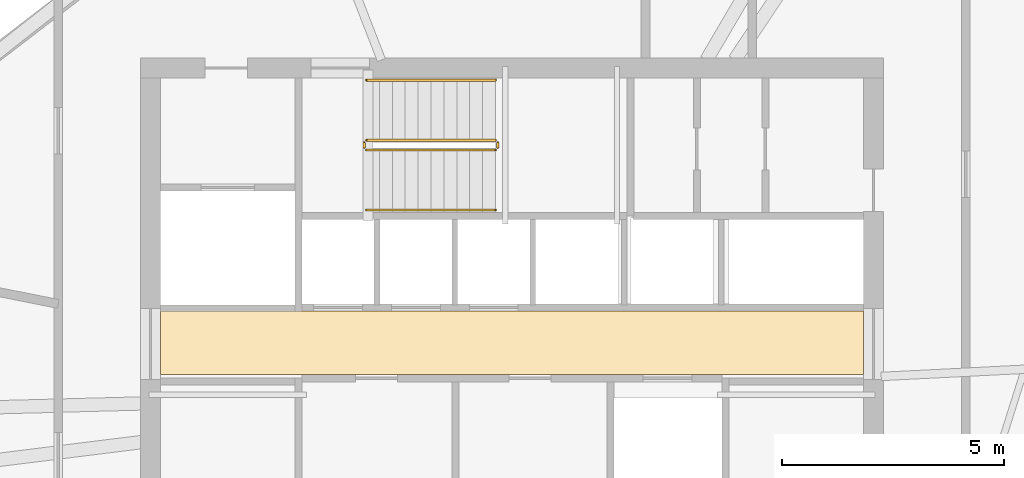
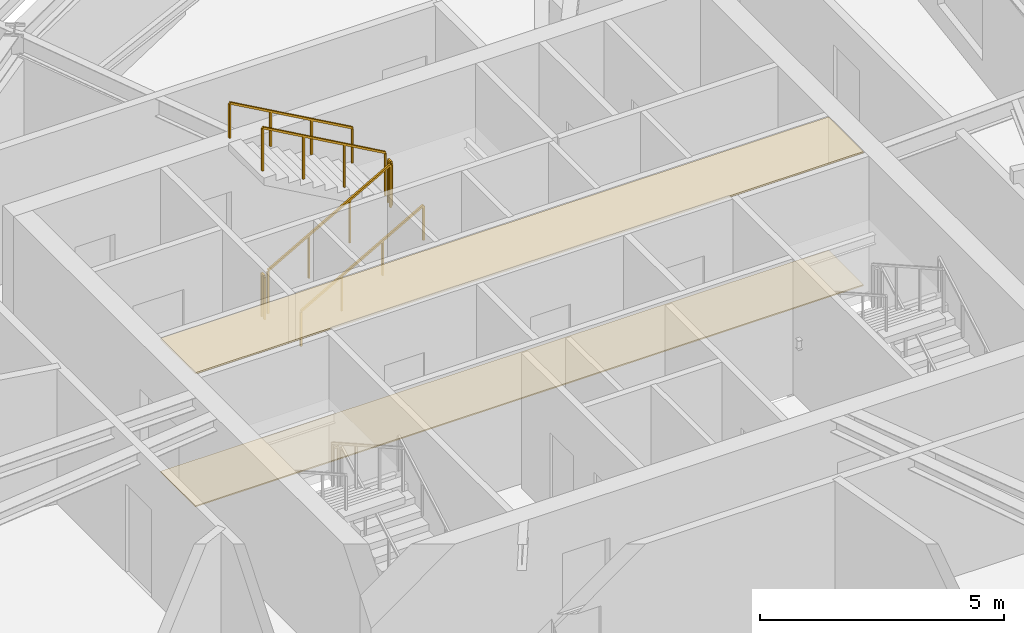
# One storey, part 12 of 13: 6 railings, 2 coverings.
"""IFC4 building model written with IfcOpenShell, lengths in metres."""

from ifc_helpers import new_model, si_unit, direction, frame, origin, origin_2d, place, context, subcontext, project, spatial, polyline, rectangle, outline, extrude, material, layer, layer_set, type_object, element, save


model = new_model("IFC4")

# Units and contexts
model_context = context("Model", 3, precision=1e-05, world=origin(), true_north=direction((0.0, 1.0)))
body_context = subcontext(model_context, "Body", "Model", "MODEL_VIEW")
ifc_project = project(units=[si_unit("LENGTHUNIT", "METRE"), si_unit("AREAUNIT", "SQUARE_METRE"), si_unit("VOLUMEUNIT", "CUBIC_METRE"), si_unit("PLANEANGLEUNIT", "RADIAN"), si_unit("MASSUNIT", "GRAM", prefix="KILO")], contexts=[model_context])

# Site, building, storey
site_placement = place(None, origin())
site = spatial("IfcSite", under=ifc_project, at=site_placement, CompositionType="ELEMENT")
building_placement = place(site_placement, origin())
building = spatial("IfcBuilding", under=site, at=building_placement, Name="Olszyna Solenne Hotel", CompositionType="ELEMENT")
storey_placement = place(building_placement, frame((0.0, 0.0, 266.89990234375)))
storey = spatial("IfcBuildingStorey", under=building, at=storey_placement, Name="L71", CompositionType="ELEMENT", Elevation=266.89990234375)

# Coverings
ifc_material_1 = material(Name="Mineral wool acoustic ceiling")
ifc_layer_1 = layer(ifc_material_1, 0.0400390625, Name="Mineral wool acoustic ceiling")
ifc_layer_set_1 = layer_set([ifc_layer_1], Name="Mineral wool acoustic ceiling")
covering_type_1 = type_object("IfcCoveringType", Name="CL-AC1", PredefinedType="CEILING", material=ifc_layer_set_1)
covering_1_placement = place(storey_placement, frame((0.0, 0.0, 3.320068359375)))
element("IfcCovering", 1, at=covering_1_placement, inside=storey, type_object=covering_type_1, Name="Lift lobby acoustic tile ceiling CL-L71-01", PredefinedType="CEILING", context=body_context, shape_type="SweptSolid", body=[
    extrude(outline(polyline([(30.10009765625, 27.030029296875), (45.89990234375, 27.030029296875), (45.89990234375, 28.4599609375), (30.10009765625, 28.4599609375), (30.10009765625, 27.030029296875)])), origin(), (0.0, 0.0, 1.0), 0.0400390625),
])
ifc_material_2 = material(Name="Ceramic floor tile")
ifc_layer_2 = layer(ifc_material_2, 0.030029296875, Name="Ceramic floor tile")
ifc_layer_set_2 = layer_set([ifc_layer_2], Name="Ceramic floor tile")
covering_type_2 = type_object("IfcCoveringType", Name="FL-TL1", PredefinedType="FLOORING", material=ifc_layer_set_2)
covering_2_placement = place(storey_placement, origin())
element("IfcCovering", 2, at=covering_2_placement, inside=storey, type_object=covering_type_2, Name="Lift lobby stoneware floor finish FLR-L71-01", PredefinedType="FLOORING", context=body_context, shape_type="SweptSolid", body=[
    extrude(outline(polyline([(30.10009765625, 27.030029296875), (45.89990234375, 27.030029296875), (45.89990234375, 28.4599609375), (30.10009765625, 28.4599609375), (30.10009765625, 27.030029296875)])), origin(), (0.0, 0.0, 1.0), 0.030029296875),
])

# Railings
ifc_material_3 = material(Name="Anodised bronze aluminium", Category="aluminium")
railing_type_1 = type_object("IfcRailingType", Name="GR-110", PredefinedType="BALUSTRADE", material=ifc_material_3)
railing_1_placement = place(storey_placement, frame((34.72998046875, 32.080078125, 0.163818359375)))
element("IfcRailing", 3, at=railing_1_placement, inside=storey, type_object=railing_type_1, Name="L71 ST3 stair guard 1", PredefinedType="BALUSTRADE", context=body_context, shape_type="SweptSolid", body=[
    extrude(rectangle(XDim=0.048095703125, YDim=0.048095703125, at=origin_2d()), frame((0.0, 0.0, 1.076171875), z_axis=(0.870928581787, 0.0, 0.491409610636), x_axis=(0.0, 1.0, 0.0)), (0.0, 0.0, 1.0), 3.32958984375),
    extrude(rectangle(XDim=0.0419921875, YDim=0.0419921875, at=origin_2d()), origin(), (0.0, 0.0, 1.0), 1.052001953125),
    extrude(rectangle(XDim=0.0419921875, YDim=0.0419921875, at=origin_2d()), frame((0.966552734375, 0.0, 0.54541015625)), (0.0, 0.0, 1.0), 1.052001953125),
    extrude(rectangle(XDim=0.0419921875, YDim=0.0419921875, at=origin_2d()), frame((1.933349609375, 0.0, 1.0908203125)), (0.0, 0.0, 1.0), 1.052001953125),
    extrude(rectangle(XDim=0.0419921875, YDim=0.0419921875, at=origin_2d()), frame((2.89990234375, 0.0, 1.63623046875)), (0.0, 0.0, 1.0), 1.052001953125),
])
railing_2_placement = place(storey_placement, frame((37.679931640625, 32.1298828125, 1.800048828125)))
element("IfcRailing", 4, at=railing_2_placement, inside=storey, type_object=railing_type_1, Name="L71 ST3 stair guard 2", PredefinedType="BALUSTRADE", context=body_context, shape_type="SweptSolid", body=[
    extrude(rectangle(XDim=0.048095703125, YDim=0.048095703125, at=origin_2d()), frame((0.0, 0.0, 1.076171875), z_axis=(0.0, 1.0, 0.0), x_axis=(-1.0, 0.0, 0.0)), (0.0, 0.0, 1.0), 0.1201171875),
    extrude(rectangle(XDim=0.0419921875, YDim=0.0419921875, at=origin_2d()), origin(), (0.0, 0.0, 1.0), 1.052001953125),
    extrude(rectangle(XDim=0.0419921875, YDim=0.0419921875, at=origin_2d()), frame((0.0, 0.1201171875, 0.0)), (0.0, 0.0, 1.0), 1.052001953125),
])
railing_3_placement = place(storey_placement, frame((37.6298828125, 32.300048828125, 1.963623046875)))
element("IfcRailing", 5, at=railing_3_placement, inside=storey, type_object=railing_type_1, Name="L71 ST3 stair guard 3", PredefinedType="BALUSTRADE", context=body_context, shape_type="SweptSolid", body=[
    extrude(rectangle(XDim=0.048095703125, YDim=0.048095703125, at=origin_2d()), frame((0.0, 0.0, 1.076171875), z_axis=(-0.870897200241, 0.0, 0.491465224214), x_axis=(0.0, -1.0, 0.0)), (0.0, 0.0, 1.0), 3.329833984375),
    extrude(rectangle(XDim=0.0419921875, YDim=0.0419921875, at=origin_2d()), origin(), (0.0, 0.0, 1.0), 1.052001953125),
    extrude(rectangle(XDim=0.0419921875, YDim=0.0419921875, at=origin_2d()), frame((-0.966552734375, 0.0, 0.54541015625)), (0.0, 0.0, 1.0), 1.052001953125),
    extrude(rectangle(XDim=0.0419921875, YDim=0.0419921875, at=origin_2d()), frame((-1.933349609375, 0.0, 1.091064453125)), (0.0, 0.0, 1.0), 1.052001953125),
    extrude(rectangle(XDim=0.0419921875, YDim=0.0419921875, at=origin_2d()), frame((-2.89990234375, 0.0, 1.636474609375)), (0.0, 0.0, 1.0), 1.052001953125),
])
railing_4_placement = place(storey_placement, frame((34.679931640625, 32.1298828125, 0.0)))
element("IfcRailing", 6, at=railing_4_placement, inside=storey, type_object=railing_type_1, Name="L71 ST3 stair guard 4", PredefinedType="BALUSTRADE", context=body_context, shape_type="SweptSolid", body=[
    extrude(rectangle(XDim=0.048095703125, YDim=0.048095703125, at=origin_2d()), frame((0.0, 0.0, 1.076171875), z_axis=(0.0, 1.0, 0.0), x_axis=(-1.0, 0.0, 0.0)), (0.0, 0.0, 1.0), 0.1201171875),
    extrude(rectangle(XDim=0.0419921875, YDim=0.0419921875, at=origin_2d()), origin(), (0.0, 0.0, 1.0), 1.052001953125),
    extrude(rectangle(XDim=0.0419921875, YDim=0.0419921875, at=origin_2d()), frame((0.0, 0.1201171875, 0.0)), (0.0, 0.0, 1.0), 1.052001953125),
])
ifc_material_4 = material(Name="Steel S355J2", Category="steel")
railing_type_2 = type_object("IfcRailingType", Name="HR-090", PredefinedType="HANDRAIL", material=ifc_material_4)
railing_5_placement = place(storey_placement, frame((34.72998046875, 30.72998046875, 0.163818359375)))
element("IfcRailing", 7, at=railing_5_placement, inside=storey, type_object=railing_type_2, Name="L71 ST3 stair handrail 1", PredefinedType="HANDRAIL", context=body_context, shape_type="SweptSolid", body=[
    extrude(rectangle(XDim=0.048095703125, YDim=0.048095703125, at=origin_2d()), frame((0.0, 0.0, 0.8759765625), z_axis=(0.870928581787, 0.0, 0.491409610636), x_axis=(0.0, 1.0, 0.0)), (0.0, 0.0, 1.0), 3.32958984375),
    extrude(rectangle(XDim=0.0419921875, YDim=0.0419921875, at=origin_2d()), origin(), (0.0, 0.0, 1.0), 0.851806640625),
    extrude(rectangle(XDim=0.0419921875, YDim=0.0419921875, at=origin_2d()), frame((0.966552734375, 0.0, 0.54541015625)), (0.0, 0.0, 1.0), 0.851806640625),
    extrude(rectangle(XDim=0.0419921875, YDim=0.0419921875, at=origin_2d()), frame((1.933349609375, 0.0, 1.0908203125)), (0.0, 0.0, 1.0), 0.851806640625),
    extrude(rectangle(XDim=0.0419921875, YDim=0.0419921875, at=origin_2d()), frame((2.89990234375, 0.0, 1.63623046875)), (0.0, 0.0, 1.0), 0.851806640625),
])
railing_6_placement = place(storey_placement, frame((37.6298828125, 33.64990234375, 1.963623046875)))
element("IfcRailing", 8, at=railing_6_placement, inside=storey, type_object=railing_type_2, Name="L71 ST3 stair handrail 2", PredefinedType="HANDRAIL", context=body_context, shape_type="SweptSolid", body=[
    extrude(rectangle(XDim=0.048095703125, YDim=0.048095703125, at=origin_2d()), frame((0.0, 0.0, 0.8759765625), z_axis=(-0.870897200241, 0.0, 0.491465224214), x_axis=(0.0, -1.0, 0.0)), (0.0, 0.0, 1.0), 3.329833984375),
    extrude(rectangle(XDim=0.0419921875, YDim=0.0419921875, at=origin_2d()), origin(), (0.0, 0.0, 1.0), 0.851806640625),
    extrude(rectangle(XDim=0.0419921875, YDim=0.0419921875, at=origin_2d()), frame((-0.966552734375, 0.0, 0.54541015625)), (0.0, 0.0, 1.0), 0.851806640625),
    extrude(rectangle(XDim=0.0419921875, YDim=0.0419921875, at=origin_2d()), frame((-1.933349609375, 0.0, 1.091064453125)), (0.0, 0.0, 1.0), 0.851806640625),
    extrude(rectangle(XDim=0.0419921875, YDim=0.0419921875, at=origin_2d()), frame((-2.89990234375, 0.0, 1.636474609375)), (0.0, 0.0, 1.0), 0.851806640625),
])

save(model, "model.ifc")
